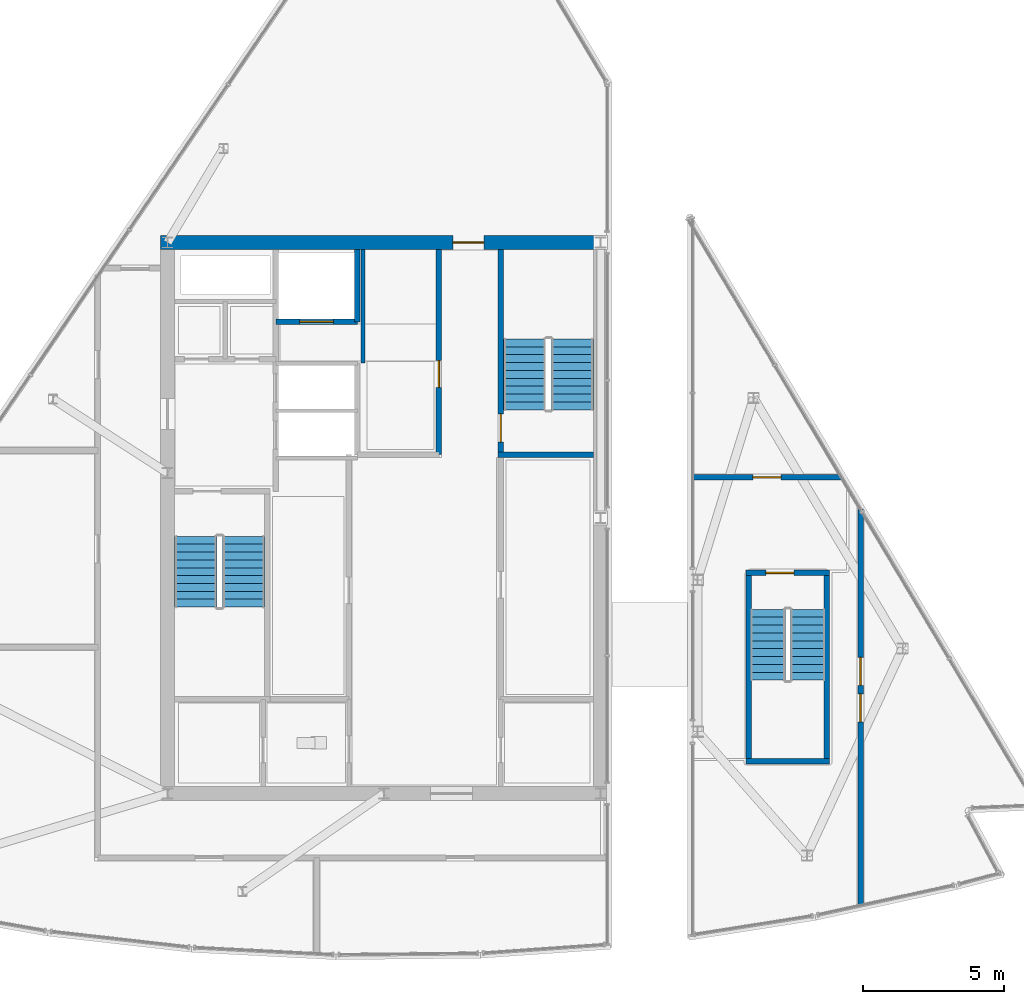
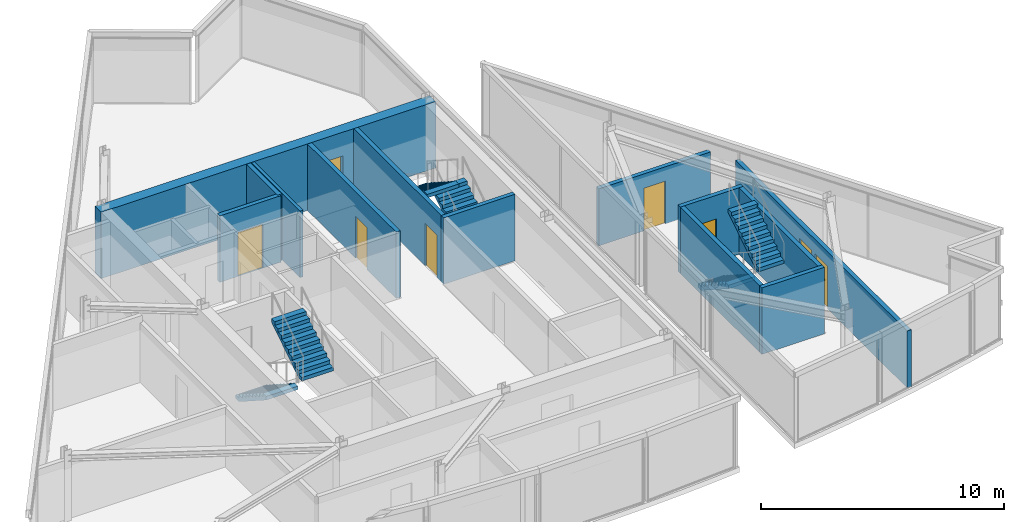
# One storey, part 10 of 15: 13 walls, 8 doors, 6 stair flights, 8 openings, 3 elements without a shape of their own.
"""IFC4 building model written with IfcOpenShell, lengths in metres."""

from ifc_helpers import new_model, si_unit, direction, frame, frame_2d, origin, place, context, subcontext, project, spatial, polyline, rectangle, outline, extrude, material, layer, layer_set, type_object, element, fill, aggregate, save


model = new_model("IFC4")

# Units and contexts
model_context = context("Model", 3, precision=1e-05, world=origin(), true_north=direction((0.0, 1.0)))
body_context = subcontext(model_context, "Body", "Model", "MODEL_VIEW")
ifc_project = project(units=[si_unit("LENGTHUNIT", "METRE"), si_unit("AREAUNIT", "SQUARE_METRE"), si_unit("VOLUMEUNIT", "CUBIC_METRE"), si_unit("PLANEANGLEUNIT", "RADIAN"), si_unit("MASSUNIT", "GRAM", prefix="KILO")], contexts=[model_context])

# Site, building, storey
site_placement = place(None, origin())
site = spatial("IfcSite", under=ifc_project, at=site_placement, CompositionType="ELEMENT")
building_placement = place(site_placement, origin())
building = spatial("IfcBuilding", under=site, at=building_placement, Name="Savorim Split Tower", CompositionType="ELEMENT")
storey_placement = place(building_placement, frame((0.0, 0.0, 301.199951171875)))
storey = spatial("IfcBuildingStorey", under=building, at=storey_placement, Name="Crown L80 Plant", CompositionType="ELEMENT", Elevation=301.199951171875)

# Wall, opening, door
ifc_material_1 = material(Name="Concrete C60/75", Category="concrete")
ifc_layer_1 = layer(ifc_material_1, 0.5)
ifc_layer_set_1 = layer_set([ifc_layer_1], Name="WAL-COR-SH500")
wall_type_1 = type_object("IfcWallType", Name="WAL-COR-SH500", PredefinedType="SHEAR", material=ifc_layer_set_1)
wall_1_placement = place(storey_placement, frame((7.949951171875, 10.199951171875, 0.0), z_axis=(0.0, 0.0, 1.0), x_axis=(-1.0, 0.0, 0.0)))
wall_1 = element("IfcWall", 1, at=wall_1_placement, inside=storey, type_object=wall_type_1, Name="Crown L80 Plant Offset Core North Shear Wall", PredefinedType="SHEAR", context=body_context, shape_type="SweptSolid", body=[
    extrude(rectangle(XDim=15.89990234375, YDim=0.5, at=frame_2d((7.949951171875, 0.0))), origin(), (0.0, 0.0, 1.0), 3.340087890625),
])
opening_1_placement = place(wall_1_placement, frame((4.39990234375, 0.0, 0.0)))
opening_1 = element("IfcOpeningElement", 2, at=opening_1_placement, cuts=wall_1, Name="Opening DI-03", PredefinedType="OPENING", context=body_context, shape_type="SweptSolid", body=[
    extrude(rectangle(XDim=1.10009765625, YDim=2.14990234375, at=frame_2d((0.550048828125, 1.074951171875))), frame((0.0, 0.260009765625, 0.0), z_axis=(0.0, -1.0, 0.0), x_axis=(1.0, 0.0, 0.0)), (0.0, 0.0, 1.0), 0.52001953125),
])
ifc_material_2 = material(Name="Timber Fire Door Leaf", Category="wood")
door_type_1 = type_object("IfcDoorType", Name="DOR-FIR-1100", OperationType="NOTDEFINED", PredefinedType="DOOR", material=ifc_material_2)
door_1_placement = place(opening_1_placement, origin())
door_1 = element("IfcDoor", 3, at=door_1_placement, inside=storey, type_object=door_type_1, Name="DOR-Crown-L80-Plant-COR-NLOB - Crown L80 Plant North Corridor Lobby Fire Door", OperationType="SINGLE_SWING_LEFT", OverallHeight=2.14990234375, OverallWidth=1.10009765625, PredefinedType="DOOR", context=body_context, shape_type="SweptSolid", body=[
    extrude(rectangle(XDim=1.10009765625, YDim=2.14990234375, at=frame_2d((0.550048828125, 1.074951171875))), frame((0.0, 0.02490234375, 0.0), z_axis=(0.0, -1.0, 0.0), x_axis=(1.0, 0.0, 0.0)), (0.0, 0.0, 1.0), 0.050048828125),
])
fill(opening_1, door_1)

ifc_material_3 = material(Name="Concrete C50/60", Category="concrete")
ifc_layer_2 = layer(ifc_material_3, 0.199951171875)
ifc_layer_set_2 = layer_set([ifc_layer_2], Name="WAL-INT-RC200")
wall_type_2 = type_object("IfcWallType", Name="WAL-INT-RC200", PredefinedType="SOLIDWALL", material=ifc_layer_set_2)
wall_2_placement = place(storey_placement, frame((4.14990234375, 2.75, 0.0), z_axis=(0.0, 0.0, 1.0), x_axis=(0.0, 1.0, 0.0)))
wall_2 = element("IfcWall", 4, at=wall_2_placement, inside=storey, type_object=wall_type_2, Name="Crown L80 Plant Structural Shaft Wall W-Crown-L80-Plant-CR07", PredefinedType="SOLIDWALL", context=body_context, shape_type="SweptSolid", body=[
    extrude(rectangle(XDim=7.199951171875, YDim=0.199951171875, at=frame_2d((3.60009765625, 0.0))), origin(), (0.0, 0.0, 1.0), 3.340087890625),
])
opening_2_placement = place(wall_2_placement, frame((0.35009765625, 0.0, 0.0)))
opening_2 = element("IfcOpeningElement", 5, at=opening_2_placement, cuts=wall_2, Name="Opening DI-04", PredefinedType="OPENING", context=body_context, shape_type="SweptSolid", body=[
    extrude(rectangle(XDim=1.0, YDim=2.14990234375, at=frame_2d((0.5, 1.074951171875))), frame((0.0, 0.10986328125, 0.0), z_axis=(0.0, -1.0, 0.0), x_axis=(1.0, 0.0, 0.0)), (0.0, 0.0, 1.0), 0.219970703125),
])
door_type_2 = type_object("IfcDoorType", Name="DOR-FIR-1000", OperationType="NOTDEFINED", PredefinedType="DOOR", material=ifc_material_2)
door_2_placement = place(opening_2_placement, origin())
door_2 = element("IfcDoor", 6, at=door_2_placement, inside=storey, type_object=door_type_2, Name="DR-Crown-L80-Plant-ST2 - Crown L80 Plant Stair ST-2 Enclosure Door", OperationType="SINGLE_SWING_RIGHT", OverallHeight=2.14990234375, OverallWidth=1.0, PredefinedType="DOOR", context=body_context, shape_type="SweptSolid", body=[
    extrude(rectangle(XDim=1.0, YDim=2.14990234375, at=frame_2d((0.5, 1.074951171875))), frame((0.0, 0.02490234375, 0.0), z_axis=(0.0, -1.0, 0.0), x_axis=(1.0, 0.0, 0.0)), (0.0, 0.0, 1.0), 0.050048828125),
])
fill(opening_2, door_2)

# Wall
wall_3_placement = place(storey_placement, frame((4.050048828125, 2.64990234375, 0.0), z_axis=(0.0, 0.0, 1.0), x_axis=(1.0, 0.0, 0.0)))
element("IfcWall", 7, at=wall_3_placement, inside=storey, type_object=wall_type_2, Name="Crown L80 Plant Structural Shaft Wall W-Crown-L80-Plant-CR08", PredefinedType="SOLIDWALL", context=body_context, shape_type="SweptSolid", body=[
    extrude(rectangle(XDim=3.39990234375, YDim=0.199951171875, at=frame_2d((1.699951171875, 0.0))), origin(), (0.0, 0.0, 1.0), 3.340087890625),
])

# Wall, opening, door
wall_4_placement = place(storey_placement, frame((-3.85009765625, 7.3798828125, 0.0), z_axis=(0.0, 0.0, 1.0), x_axis=(1.0, 0.0, 0.0)))
wall_4 = element("IfcWall", 8, at=wall_4_placement, inside=storey, type_object=wall_type_2, Name="Crown L80 Plant Partition W-Crown-L80-Plant-SVLS", PredefinedType="SOLIDWALL", context=body_context, shape_type="SweptSolid", body=[
    extrude(rectangle(XDim=2.900146484375, YDim=0.199951171875, at=frame_2d((1.4501953125, 0.0))), origin(), (0.0, 0.0, 1.0), 3.340087890625),
])
opening_3_placement = place(wall_4_placement, frame((0.85009765625, 0.0, 0.0)))
opening_3 = element("IfcOpeningElement", 9, at=opening_3_placement, cuts=wall_4, Name="Opening LD-SV", PredefinedType="OPENING", context=body_context, shape_type="SweptSolid", body=[
    extrude(rectangle(XDim=1.199951171875, YDim=2.199951171875, at=frame_2d((0.60009765625, 1.10009765625))), frame((0.0, 0.10986328125, 0.0), z_axis=(0.0, -1.0, 0.0), x_axis=(1.0, 0.0, 0.0)), (0.0, 0.0, 1.0), 0.219970703125),
])
ifc_material_4 = material(Name="Charcoal Anodised Aluminium", Category="aluminium")
door_type_3 = type_object("IfcDoorType", Name="DOR-SLD-SV1200", OperationType="NOTDEFINED", PredefinedType="DOOR", material=ifc_material_4)
door_3_placement = place(opening_3_placement, origin())
door_3 = element("IfcDoor", 10, at=door_3_placement, inside=storey, type_object=door_type_3, Name="DR-Crown-L80-Plant-LD-SVL1 - Crown L80 Plant Service Lift SVL-1 Sliding Landing Door", OperationType="DOUBLE_DOOR_SLIDING", OverallHeight=2.199951171875, OverallWidth=1.199951171875, PredefinedType="DOOR", context=body_context, shape_type="SweptSolid", body=[
    extrude(rectangle(XDim=1.199951171875, YDim=2.199951171875, at=frame_2d((0.60009765625, 1.10009765625))), frame((0.0, 0.02490234375, 0.0), z_axis=(0.0, -1.0, 0.0), x_axis=(1.0, 0.0, 0.0)), (0.0, 0.0, 1.0), 0.050048828125),
])
fill(opening_3, door_3)

# Wall
wall_5_placement = place(storey_placement, frame((-0.949951171875, 7.3798828125, 0.0), z_axis=(0.0, 0.0, 1.0), x_axis=(0.0, 1.0, 0.0)))
element("IfcWall", 11, at=wall_5_placement, inside=storey, type_object=wall_type_2, Name="Crown L80 Plant Partition W-Crown-L80-Plant-SVLE", PredefinedType="SOLIDWALL", context=body_context, shape_type="SweptSolid", body=[
    extrude(rectangle(XDim=2.565185546875, YDim=0.199951171875, at=frame_2d((1.28271484375, 0.0))), origin(), (0.0, 0.0, 1.0), 3.340087890625),
])

# Wall, opening, door
wall_6_placement = place(storey_placement, frame((1.949951171875, 2.64990234375, 0.0), z_axis=(0.0, 0.0, 1.0), x_axis=(0.0, 1.0, 0.0)))
wall_6 = element("IfcWall", 12, at=wall_6_placement, inside=storey, type_object=wall_type_2, Name="Crown L80 Plant Partition W-Crown-L80-Plant-B3FRONT", PredefinedType="SOLIDWALL", context=body_context, shape_type="SweptSolid", body=[
    extrude(rectangle(XDim=7.295166015625, YDim=0.199951171875, at=frame_2d((3.6474609375, 0.0))), origin(), (0.0, 0.0, 1.0), 3.340087890625),
])
opening_4_placement = place(wall_6_placement, frame((2.39990234375, 0.0, 0.0)))
opening_4 = element("IfcOpeningElement", 13, at=opening_4_placement, cuts=wall_6, Name="Opening DI-05", PredefinedType="OPENING", context=body_context, shape_type="SweptSolid", body=[
    extrude(rectangle(XDim=0.949951171875, YDim=2.10009765625, at=frame_2d((0.47509765625, 1.050048828125))), frame((0.0, 0.10986328125, 0.0), z_axis=(0.0, -1.0, 0.0), x_axis=(1.0, 0.0, 0.0)), (0.0, 0.0, 1.0), 0.219970703125),
])
door_type_4 = type_object("IfcDoorType", Name="DOR-FIR-950", OperationType="NOTDEFINED", PredefinedType="DOOR", material=ifc_material_2)
door_4_placement = place(opening_4_placement, origin())
door_4 = element("IfcDoor", 14, at=door_4_placement, inside=storey, type_object=door_type_4, Name="DR-Crown-L80-Plant-B3CRN - Crown L80 Plant Crown BMS Plant Room Door", OperationType="SINGLE_SWING_LEFT", OverallHeight=2.10009765625, OverallWidth=0.949951171875, PredefinedType="DOOR", context=body_context, shape_type="SweptSolid", body=[
    extrude(rectangle(XDim=0.949951171875, YDim=2.10009765625, at=frame_2d((0.47509765625, 1.050048828125))), frame((0.0, 0.02490234375, 0.0), z_axis=(0.0, -1.0, 0.0), x_axis=(1.0, 0.0, 0.0)), (0.0, 0.0, 1.0), 0.050048828125),
])
fill(opening_4, door_4)

# Wall
wall_7_placement = place(storey_placement, frame((12.8798828125, -8.25, 0.0), z_axis=(0.0, 0.0, 1.0), x_axis=(1.0, 0.0, 0.0)))
element("IfcWall", 15, at=wall_7_placement, inside=storey, type_object=wall_type_2, Name="Crown L80 Plant Structural Shaft Wall W-Crown-L80-Plant-STCES", PredefinedType="SOLIDWALL", context=body_context, shape_type="SweptSolid", body=[
    extrude(rectangle(XDim=2.97021484375, YDim=0.199951171875, at=frame_2d((1.485107421875, 0.0))), origin(), (0.0, 0.0, 1.0), 3.340087890625),
])

# Wall, opening, door
wall_8_placement = place(storey_placement, frame((12.8798828125, -1.550048828125, 0.0), z_axis=(0.0, 0.0, 1.0), x_axis=(1.0, 0.0, 0.0)))
wall_8 = element("IfcWall", 16, at=wall_8_placement, inside=storey, type_object=wall_type_2, Name="Crown L80 Plant Structural Shaft Wall W-Crown-L80-Plant-STCEN", PredefinedType="SOLIDWALL", context=body_context, shape_type="SweptSolid", body=[
    extrude(rectangle(XDim=2.97021484375, YDim=0.199951171875, at=frame_2d((1.485107421875, 0.0))), origin(), (0.0, 0.0, 1.0), 3.340087890625),
])
opening_5_placement = place(wall_8_placement, frame((0.699951171875, 0.0, 0.0)))
opening_5 = element("IfcOpeningElement", 17, at=opening_5_placement, cuts=wall_8, Name="Opening DI-04", PredefinedType="OPENING", context=body_context, shape_type="SweptSolid", body=[
    extrude(rectangle(XDim=1.0, YDim=2.14990234375, at=frame_2d((0.5, 1.074951171875))), frame((0.0, 0.10986328125, 0.0), z_axis=(0.0, -1.0, 0.0), x_axis=(1.0, 0.0, 0.0)), (0.0, 0.0, 1.0), 0.219970703125),
])
door_5_placement = place(opening_5_placement, origin())
door_5 = element("IfcDoor", 18, at=door_5_placement, inside=storey, type_object=door_type_2, Name="DR-Crown-L80-Plant-STCE - Crown L80 Plant East Crown Stair Door", OperationType="SINGLE_SWING_RIGHT", OverallHeight=2.14990234375, OverallWidth=1.0, PredefinedType="DOOR", context=body_context, shape_type="SweptSolid", body=[
    extrude(rectangle(XDim=1.0, YDim=2.14990234375, at=frame_2d((0.5, 1.074951171875))), frame((0.0, 0.02490234375, 0.0), z_axis=(0.0, -1.0, 0.0), x_axis=(1.0, 0.0, 0.0)), (0.0, 0.0, 1.0), 0.050048828125),
])
fill(opening_5, door_5)

# Walls
for number, where, z_axis, x_axis, name in (
    (19, (12.969970703125, -8.14990234375, 0.0), (0.0, 0.0, 1.0), (0.0, 1.0, 0.0), "Crown L80 Plant Structural Shaft Wall W-Crown-L80-Plant-STCEW"),
    (20, (15.75, -8.14990234375, 0.0), (0.0, 0.0, 1.0), (0.0, 1.0, 0.0), "Crown L80 Plant Structural Shaft Wall W-Crown-L80-Plant-STCEE"),
):
    element("IfcWall", number, at=place(storey_placement, frame(where, z_axis=z_axis, x_axis=x_axis)), inside=storey, type_object=wall_type_2, Name=name, PredefinedType="SOLIDWALL", context=body_context, shape_type="SweptSolid", body=[
        extrude(rectangle(XDim=6.5, YDim=0.199951171875, at=frame_2d((3.25, 0.0))), origin(), (0.0, 0.0, 1.0), 3.340087890625),
    ])

# Wall, openings, doors
wall_9_placement = place(storey_placement, frame((16.949951171875, -13.42578125, 0.0), z_axis=(0.0, 0.0, 1.0), x_axis=(0.0, 1.0, 0.0)))
wall_9 = element("IfcWall", 21, at=wall_9_placement, inside=storey, type_object=wall_type_2, Name="Crown L80 Plant Partition W-Crown-L80-Plant-ECE", PredefinedType="SOLIDWALL", context=body_context, shape_type="SweptSolid", body=[
    extrude(rectangle(XDim=14.14453125, YDim=0.199951171875, at=frame_2d((7.072265625, 0.0))), origin(), (0.0, 0.0, 1.0), 2.864990234375),
])
opening_6_placement = place(wall_9_placement, frame((6.572265625, 0.0, 0.0)))
opening_6 = element("IfcOpeningElement", 22, at=opening_6_placement, cuts=wall_9, Name="Opening DI-04", PredefinedType="OPENING", context=body_context, shape_type="SweptSolid", body=[
    extrude(rectangle(XDim=1.0, YDim=2.14990234375, at=frame_2d((0.5, 1.074951171875))), frame((0.0, 0.10986328125, 0.0), z_axis=(0.0, -1.0, 0.0), x_axis=(1.0, 0.0, 0.0)), (0.0, 0.0, 1.0), 0.219970703125),
])
opening_7_placement = place(wall_9_placement, frame((7.868408203125, 0.0, 0.0)))
opening_7 = element("IfcOpeningElement", 23, at=opening_7_placement, cuts=wall_9, Name="Opening DI-04", PredefinedType="OPENING", context=body_context, shape_type="SweptSolid", body=[
    extrude(rectangle(XDim=1.0, YDim=2.14990234375, at=frame_2d((0.5, 1.074951171875))), frame((0.0, 0.10986328125, 0.0), z_axis=(0.0, -1.0, 0.0), x_axis=(1.0, 0.0, 0.0)), (0.0, 0.0, 1.0), 0.219970703125),
])
door_6_placement = place(opening_6_placement, origin())
door_6 = element("IfcDoor", 24, at=door_6_placement, inside=storey, type_object=door_type_2, Name="DR-Crown-L80-Plant-ERM01 - Crown L80 Plant East Cooling Plant Room Entry Door", OperationType="SINGLE_SWING_RIGHT", OverallHeight=2.14990234375, OverallWidth=1.0, PredefinedType="DOOR", context=body_context, shape_type="SweptSolid", body=[
    extrude(rectangle(XDim=1.0, YDim=2.14990234375, at=frame_2d((0.5, 1.074951171875))), frame((0.0, 0.02490234375, 0.0), z_axis=(0.0, -1.0, 0.0), x_axis=(1.0, 0.0, 0.0)), (0.0, 0.0, 1.0), 0.050048828125),
])
fill(opening_6, door_6)
door_7_placement = place(opening_7_placement, origin())
door_7 = element("IfcDoor", 25, at=door_7_placement, inside=storey, type_object=door_type_2, Name="DR-Crown-L80-Plant-ERM02 - Crown L80 Plant East Heat Recovery AHU Plant Room Entry Door", OperationType="SINGLE_SWING_LEFT", OverallHeight=2.14990234375, OverallWidth=1.0, PredefinedType="DOOR", context=body_context, shape_type="SweptSolid", body=[
    extrude(rectangle(XDim=1.0, YDim=2.14990234375, at=frame_2d((0.5, 1.074951171875))), frame((0.0, 0.02490234375, 0.0), z_axis=(0.0, -1.0, 0.0), x_axis=(1.0, 0.0, 0.0)), (0.0, 0.0, 1.0), 0.050048828125),
])
fill(opening_7, door_7)

# Wall, opening, door
wall_10_placement = place(storey_placement, frame((10.9599609375, 1.85009765625, 0.0), z_axis=(0.0, 0.0, 1.0), x_axis=(1.0, 0.0, 0.0)))
wall_10 = element("IfcWall", 26, at=wall_10_placement, inside=storey, type_object=wall_type_2, Name="Crown L80 Plant Partition W-Crown-L80-Plant-ECN", PredefinedType="SOLIDWALL", context=body_context, shape_type="SweptSolid", body=[
    extrude(rectangle(XDim=5.3173828125, YDim=0.199951171875, at=frame_2d((2.65869140625, 0.0))), origin(), (0.0, 0.0, 1.0), 2.864990234375),
])
opening_8_placement = place(wall_10_placement, frame((2.15869140625, 0.0, 0.0)))
opening_8 = element("IfcOpeningElement", 27, at=opening_8_placement, cuts=wall_10, Name="Opening DI-04", PredefinedType="OPENING", context=body_context, shape_type="SweptSolid", body=[
    extrude(rectangle(XDim=1.0, YDim=2.14990234375, at=frame_2d((0.5, 1.074951171875))), frame((0.0, 0.10986328125, 0.0), z_axis=(0.0, -1.0, 0.0), x_axis=(1.0, 0.0, 0.0)), (0.0, 0.0, 1.0), 0.219970703125),
])
door_8_placement = place(opening_8_placement, origin())
door_8 = element("IfcDoor", 28, at=door_8_placement, inside=storey, type_object=door_type_2, Name="DR-Crown-L80-Plant-ERM03 - Crown L80 Plant East Cooling Plant Room Entry Door", OperationType="SINGLE_SWING_RIGHT", OverallHeight=2.14990234375, OverallWidth=1.0, PredefinedType="DOOR", context=body_context, shape_type="SweptSolid", body=[
    extrude(rectangle(XDim=1.0, YDim=2.14990234375, at=frame_2d((0.5, 1.074951171875))), frame((0.0, 0.02490234375, 0.0), z_axis=(0.0, -1.0, 0.0), x_axis=(1.0, 0.0, 0.0)), (0.0, 0.0, 1.0), 0.050048828125),
])
fill(opening_8, door_8)

# Wall
ifc_material_5 = material(Name="Acoustic Gypsum Partition Board")
ifc_layer_3 = layer(ifc_material_5, 0.14990234375)
ifc_layer_set_3 = layer_set([ifc_layer_3], Name="WAL-PAR-150")
wall_type_3 = type_object("IfcWallType", Name="WAL-PAR-150", PredefinedType="PARTITIONING", material=ifc_layer_set_3)
wall_11_placement = place(storey_placement, frame((-0.75, 5.919921875, 0.0), z_axis=(0.0, 0.0, 1.0), x_axis=(0.0, 1.0, 0.0)))
element("IfcWall", 29, at=wall_11_placement, inside=storey, type_object=wall_type_3, Name="Crown L80 Plant Partition W-Crown-L80-Plant-B3WEST", PredefinedType="PARTITIONING", context=body_context, shape_type="SweptSolid", body=[
    extrude(rectangle(XDim=4.025146484375, YDim=0.14990234375, at=frame_2d((2.0126953125, 0.0))), origin(), (0.0, 0.0, 1.0), 3.340087890625),
])

# Stair, stair flights
stair_type_1 = type_object("IfcStairType", Name="STR-CRN-3600", PredefinedType="HALF_TURN_STAIR", material=ifc_material_3)
stair_1_placement = place(storey_placement, origin())
stair_1 = element("IfcStair", 30, at=stair_1_placement, inside=storey, type_object=stair_type_1, Name="Crown L80 Plant East Crown Peak Internal Plant Stair ST-CRN-E", PredefinedType="HALF_TURN_STAIR")
stair_flight_type_1 = type_object("IfcStairFlightType", Name="SFL-CRN-3600", PredefinedType="STRAIGHT", material=ifc_material_3)
stair_flight_1_placement = place(storey_placement, frame((13.64501953125, -2.85009765625, 0.0), z_axis=(0.0, 0.0, 1.0), x_axis=(0.0, -1.0, 0.0)))
stair_flight_1 = element("IfcStairFlight", 31, at=stair_flight_1_placement, type_object=stair_flight_type_1, Name="ST-CRN-E flight 1", NumberOfRisers=10, NumberOfTreads=9, PredefinedType="STRAIGHT", RiserHeight=0.18, TreadLength=0.28, context=body_context, shape_type="SweptSolid", body=[
    extrude(outline(polyline([(0.0, 0.0), (0.0, 0.179931640625), (0.280029296875, 0.179931640625), (0.280029296875, 0.360107421875), (0.56005859375, 0.360107421875), (0.56005859375, 0.5400390625), (0.840087890625, 0.5400390625), (0.840087890625, 0.719970703125), (1.1201171875, 0.719970703125), (1.1201171875, 0.89990234375), (1.39990234375, 0.89990234375), (1.39990234375, 1.080078125), (1.679931640625, 1.080078125), (1.679931640625, 1.260009765625), (1.9599609375, 1.260009765625), (1.9599609375, 1.43994140625), (2.239990234375, 1.43994140625), (2.239990234375, 1.6201171875), (2.52001953125, 1.6201171875), (2.52001953125, 1.800048828125), (2.52001953125, 1.44189453125), (0.277099609375, 0.0), (0.0, 0.0)])), frame((0.0, 0.625, 0.0), z_axis=(0.0, -1.0, 0.0), x_axis=(1.0, 0.0, 0.0)), (0.0, 0.0, 1.0), 1.25),
])
stair_flight_2_placement = place(storey_placement, frame((15.074951171875, -5.3701171875, 1.800048828125), z_axis=(0.0, 0.0, 1.0), x_axis=(0.0, 1.0, 0.0)))
stair_flight_2 = element("IfcStairFlight", 32, at=stair_flight_2_placement, type_object=stair_flight_type_1, Name="ST-CRN-E flight 2", NumberOfRisers=10, NumberOfTreads=9, PredefinedType="STRAIGHT", RiserHeight=0.18, TreadLength=0.28, context=body_context, shape_type="SweptSolid", body=[
    extrude(outline(polyline([(0.0, 0.0), (0.0, 0.179931640625), (0.280029296875, 0.179931640625), (0.280029296875, 0.360107421875), (0.56005859375, 0.360107421875), (0.56005859375, 0.5400390625), (0.840087890625, 0.5400390625), (0.840087890625, 0.719970703125), (1.1201171875, 0.719970703125), (1.1201171875, 0.89990234375), (1.39990234375, 0.89990234375), (1.39990234375, 1.080078125), (1.679931640625, 1.080078125), (1.679931640625, 1.260009765625), (1.9599609375, 1.260009765625), (1.9599609375, 1.43994140625), (2.239990234375, 1.43994140625), (2.239990234375, 1.6201171875), (2.52001953125, 1.6201171875), (2.52001953125, 1.800048828125), (2.52001953125, 1.44189453125), (0.277099609375, 0.0), (0.0, 0.0)])), frame((0.0, 0.625, 0.0), z_axis=(0.0, -1.0, 0.0), x_axis=(1.0, 0.0, 0.0)), (0.0, 0.0, 1.0), 1.25),
])
aggregate(stair_1, [stair_flight_1, stair_flight_2])

stair_type_2 = type_object("IfcStairType", Name="STR-DOG-3600", PredefinedType="HALF_TURN_STAIR", material=ifc_material_3)
stair_2_placement = place(storey_placement, origin())
stair_2 = element("IfcStair", 33, at=stair_2_placement, inside=storey, type_object=stair_type_2, Name="Crown L80 Plant Core Protected Exit Stair ST-1", PredefinedType="HALF_TURN_STAIR")
stair_flight_type_2 = type_object("IfcStairFlightType", Name="SFL-DOG-3600", PredefinedType="STRAIGHT", material=ifc_material_3)
stair_flight_3_placement = place(storey_placement, frame((-6.699951171875, -0.25, 0.0), z_axis=(0.0, 0.0, 1.0), x_axis=(0.0, -1.0, 0.0)))
stair_flight_3 = element("IfcStairFlight", 34, at=stair_flight_3_placement, type_object=stair_flight_type_2, Name="ST-1 flight 1", NumberOfRisers=10, NumberOfTreads=9, PredefinedType="STRAIGHT", RiserHeight=0.18, TreadLength=0.28, context=body_context, shape_type="SweptSolid", body=[
    extrude(outline(polyline([(0.0, 0.0), (0.0, 0.179931640625), (0.280029296875, 0.179931640625), (0.280029296875, 0.360107421875), (0.56005859375, 0.360107421875), (0.56005859375, 0.5400390625), (0.840087890625, 0.5400390625), (0.840087890625, 0.719970703125), (1.1201171875, 0.719970703125), (1.1201171875, 0.89990234375), (1.39990234375, 0.89990234375), (1.39990234375, 1.080078125), (1.679931640625, 1.080078125), (1.679931640625, 1.260009765625), (1.9599609375, 1.260009765625), (1.9599609375, 1.43994140625), (2.239990234375, 1.43994140625), (2.239990234375, 1.6201171875), (2.52001953125, 1.6201171875), (2.52001953125, 1.800048828125), (2.52001953125, 1.44189453125), (0.277099609375, 0.0), (0.0, 0.0)])), frame((0.0, 0.75, 0.0), z_axis=(0.0, -1.0, 0.0), x_axis=(1.0, 0.0, 0.0)), (0.0, 0.0, 1.0), 1.5),
])
stair_flight_4_placement = place(storey_placement, frame((-5.0, -2.77001953125, 1.800048828125), z_axis=(0.0, 0.0, 1.0), x_axis=(0.0, 1.0, 0.0)))
stair_flight_4 = element("IfcStairFlight", 35, at=stair_flight_4_placement, type_object=stair_flight_type_2, Name="ST-1 flight 2", NumberOfRisers=10, NumberOfTreads=9, PredefinedType="STRAIGHT", RiserHeight=0.18, TreadLength=0.28, context=body_context, shape_type="SweptSolid", body=[
    extrude(outline(polyline([(0.0, 0.0), (0.0, 0.179931640625), (0.280029296875, 0.179931640625), (0.280029296875, 0.360107421875), (0.56005859375, 0.360107421875), (0.56005859375, 0.5400390625), (0.840087890625, 0.5400390625), (0.840087890625, 0.719970703125), (1.1201171875, 0.719970703125), (1.1201171875, 0.89990234375), (1.39990234375, 0.89990234375), (1.39990234375, 1.080078125), (1.679931640625, 1.080078125), (1.679931640625, 1.260009765625), (1.9599609375, 1.260009765625), (1.9599609375, 1.43994140625), (2.239990234375, 1.43994140625), (2.239990234375, 1.6201171875), (2.52001953125, 1.6201171875), (2.52001953125, 1.800048828125), (2.52001953125, 1.44189453125), (0.277099609375, 0.0), (0.0, 0.0)])), frame((0.0, 0.75, 0.0), z_axis=(0.0, -1.0, 0.0), x_axis=(1.0, 0.0, 0.0)), (0.0, 0.0, 1.0), 1.5),
])
aggregate(stair_2, [stair_flight_3, stair_flight_4])

stair_3_placement = place(storey_placement, origin())
stair_3 = element("IfcStair", 36, at=stair_3_placement, inside=storey, type_object=stair_type_2, Name="Crown L80 Plant Core Protected Exit Stair ST-2", PredefinedType="HALF_TURN_STAIR")
stair_flight_5_placement = place(storey_placement, frame((6.699951171875, 4.25, 0.0), z_axis=(0.0, 0.0, 1.0), x_axis=(0.0, 1.0, 0.0)))
stair_flight_5 = element("IfcStairFlight", 37, at=stair_flight_5_placement, type_object=stair_flight_type_2, Name="ST-2 flight 1", NumberOfRisers=10, NumberOfTreads=9, PredefinedType="STRAIGHT", RiserHeight=0.18, TreadLength=0.28, context=body_context, shape_type="SweptSolid", body=[
    extrude(outline(polyline([(0.0, 0.0), (0.0, 0.179931640625), (0.280029296875, 0.179931640625), (0.280029296875, 0.360107421875), (0.56005859375, 0.360107421875), (0.56005859375, 0.5400390625), (0.840087890625, 0.5400390625), (0.840087890625, 0.719970703125), (1.1201171875, 0.719970703125), (1.1201171875, 0.89990234375), (1.39990234375, 0.89990234375), (1.39990234375, 1.080078125), (1.679931640625, 1.080078125), (1.679931640625, 1.260009765625), (1.9599609375, 1.260009765625), (1.9599609375, 1.43994140625), (2.239990234375, 1.43994140625), (2.239990234375, 1.6201171875), (2.52001953125, 1.6201171875), (2.52001953125, 1.800048828125), (2.52001953125, 1.44189453125), (0.277099609375, 0.0), (0.0, 0.0)])), frame((0.0, 0.75, 0.0), z_axis=(0.0, -1.0, 0.0), x_axis=(1.0, 0.0, 0.0)), (0.0, 0.0, 1.0), 1.5),
])
stair_flight_6_placement = place(storey_placement, frame((5.0, 6.77001953125, 1.800048828125), z_axis=(0.0, 0.0, 1.0), x_axis=(0.0, -1.0, 0.0)))
stair_flight_6 = element("IfcStairFlight", 38, at=stair_flight_6_placement, type_object=stair_flight_type_2, Name="ST-2 flight 2", NumberOfRisers=10, NumberOfTreads=9, PredefinedType="STRAIGHT", RiserHeight=0.18, TreadLength=0.28, context=body_context, shape_type="SweptSolid", body=[
    extrude(outline(polyline([(0.0, 0.0), (0.0, 0.179931640625), (0.280029296875, 0.179931640625), (0.280029296875, 0.360107421875), (0.56005859375, 0.360107421875), (0.56005859375, 0.5400390625), (0.840087890625, 0.5400390625), (0.840087890625, 0.719970703125), (1.1201171875, 0.719970703125), (1.1201171875, 0.89990234375), (1.39990234375, 0.89990234375), (1.39990234375, 1.080078125), (1.679931640625, 1.080078125), (1.679931640625, 1.260009765625), (1.9599609375, 1.260009765625), (1.9599609375, 1.43994140625), (2.239990234375, 1.43994140625), (2.239990234375, 1.6201171875), (2.52001953125, 1.6201171875), (2.52001953125, 1.800048828125), (2.52001953125, 1.44189453125), (0.277099609375, 0.0), (0.0, 0.0)])), frame((0.0, 0.75, 0.0), z_axis=(0.0, -1.0, 0.0), x_axis=(1.0, 0.0, 0.0)), (0.0, 0.0, 1.0), 1.5),
])
aggregate(stair_3, [stair_flight_5, stair_flight_6])

save(model, "model.ifc")
